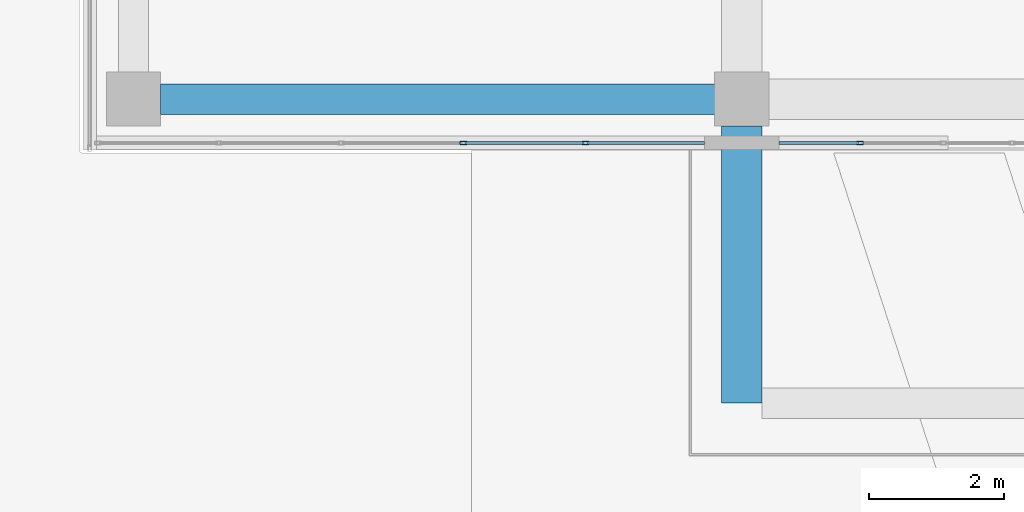
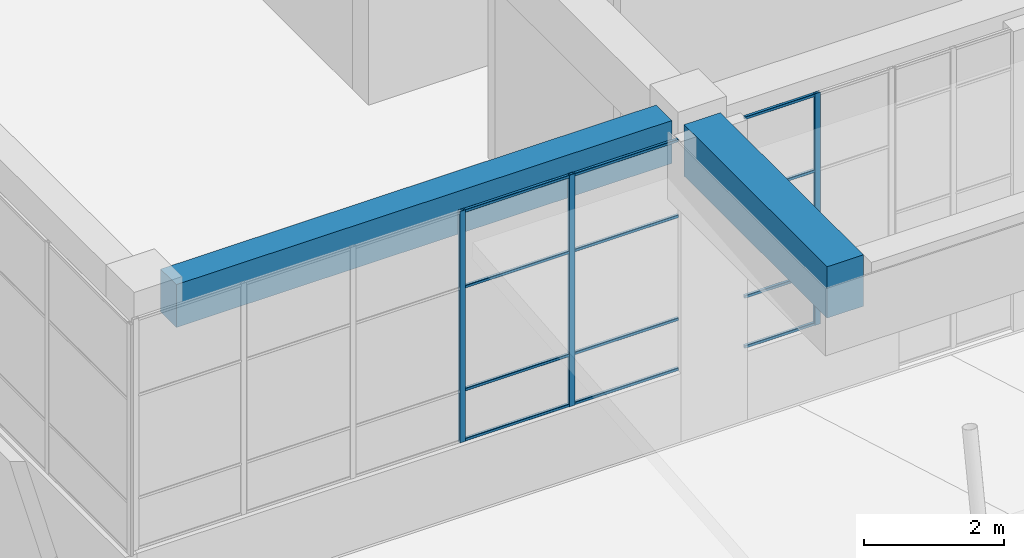
# One storey, part 17 of 72: 15 members, 2 beams, 2 elements without a shape of their own.
"""IFC4 building model written with IfcOpenShell, lengths in metres."""

from ifc_helpers import new_model, si_unit, direction, frame, origin, origin_2d, place, context, subcontext, project, spatial, rectangle, hollow_rectangle, extrude, material, layer, layer_set, material_profile, profile_set, type_object, element, aggregate, save


model = new_model("IFC4")

# Units and contexts
model_context = context("Model", 3, precision=1e-05, world=origin(), true_north=direction((0.0, 1.0)))
body_context = subcontext(model_context, "Body", "Model", "MODEL_VIEW")
ifc_project = project(units=[si_unit("LENGTHUNIT", "METRE"), si_unit("AREAUNIT", "SQUARE_METRE"), si_unit("VOLUMEUNIT", "CUBIC_METRE"), si_unit("PLANEANGLEUNIT", "RADIAN"), si_unit("MASSUNIT", "GRAM", prefix="KILO")], contexts=[model_context])

# Site, building, storey
site_placement = place(None, origin())
site = spatial("IfcSite", under=ifc_project, at=site_placement, CompositionType="ELEMENT")
building_placement = place(site_placement, origin())
building = spatial("IfcBuilding", under=site, at=building_placement, Name="Tuart Plaza Theatre", CompositionType="ELEMENT")
storey_placement = place(building_placement, origin())
storey = spatial("IfcBuildingStorey", under=building, at=storey_placement, Name="L00", CompositionType="ELEMENT", Elevation=0.0)

# Beams
ifc_material_1 = material(Name="Concrete N40 (40 MPa)", Category="concrete")
ifc_material_profile_1 = material_profile(ifc_material_1, rectangle(XDim=0.449951171875, YDim=0.75, at=origin_2d()), Name="BEAM 450x750 Concrete N40 (40 MPa)")
ifc_profile_set_1 = profile_set([ifc_material_profile_1], Name="Concrete N40 (40 MPa)")
beam_type_1 = type_object("IfcBeamType", Name="BEAM 450x750 Concrete N40 (40 MPa)", PredefinedType="BEAM", material=ifc_profile_set_1)
beam_1_placement = place(storey_placement, frame((114.39990234375, 56.0, 4.875), z_axis=(1.0, 0.0, 0.0), x_axis=(0.0, 1.0, 0.0)))
element("IfcBeam", 1, at=beam_1_placement, inside=storey, type_object=beam_type_1, Name="RB123", PredefinedType="BEAM", context=body_context, shape_type="SweptSolid", body=[
    extrude(rectangle(XDim=0.449951171875, YDim=0.75, at=origin_2d()), origin(), (0.0, 0.0, 1.0), 8.2001953125),
])
ifc_material_2 = material(Name="Concrete N40 (40 MPa)", Category="concrete")
ifc_material_profile_2 = material_profile(ifc_material_2, rectangle(XDim=0.60009765625, YDim=0.89990234375, at=origin_2d()), Name="BEAM 600x900 Concrete N40 (40 MPa)")
ifc_profile_set_2 = profile_set([ifc_material_profile_2], Name="Concrete N40 (40 MPa)")
beam_type_2 = type_object("IfcBeamType", Name="BEAM 600x900 Concrete N40 (40 MPa)", PredefinedType="BEAM", material=ifc_profile_set_2)
beam_2_placement = place(storey_placement, frame((123.0, 51.5, 4.800048828125), z_axis=(0.0, 1.0, 0.0), x_axis=(-1.0, 0.0, 0.0)))
element("IfcBeam", 2, at=beam_2_placement, inside=storey, type_object=beam_type_2, Name="RB133", PredefinedType="BEAM", context=body_context, shape_type="SweptSolid", body=[
    extrude(rectangle(XDim=0.60009765625, YDim=0.89990234375, at=origin_2d()), origin(), (0.0, 0.0, 1.0), 4.10009765625),
])

# Curtain wall, members
ifc_material_3 = material(Name="Aluminium and glass", Category="aluminium")
ifc_layer_1 = layer(ifc_material_3, 0.10009765625)
ifc_layer_set_1 = layer_set([ifc_layer_1], Name="CURTAIN WALL 1800 module")
curtain_wall_type_1 = type_object("IfcCurtainWallType", Name="CURTAIN WALL 1800 module", PredefinedType="NOTDEFINED", material=ifc_layer_set_1)
curtain_wall_1_placement = place(storey_placement, origin())
curtain_wall_1 = element("IfcCurtainWall", 3, at=curtain_wall_1_placement, inside=storey, type_object=curtain_wall_type_1, Name="CW60", PredefinedType="NOTDEFINED")
ifc_material_4 = material(Name="Aluminium 6063-T5", Category="aluminium")
ifc_material_profile_3 = material_profile(ifc_material_4, hollow_rectangle(XDim=0.050048828125, YDim=0.10009765625, WallThickness=0.00390625, InnerFilletRadius=0.00390625, OuterFilletRadius=0.008056640625, at=origin_2d()), Name="RHS 100x50x4")
ifc_profile_set_3 = profile_set([ifc_material_profile_3], Name="Aluminium 6063-T5")
member_type_1 = type_object("IfcMemberType", Name="MULLION RHS 100x50x4", PredefinedType="MULLION", material=ifc_profile_set_3)
member_1_placement = place(storey_placement, frame((118.8798828125, 55.35009765625, 1.199951171875), z_axis=(0.0, 0.0, 1.0), x_axis=(0.0, 1.0, 0.0)))
member_1 = element("IfcMember", 4, at=member_1_placement, type_object=member_type_1, Name="CW60 mullion 4", PredefinedType="MULLION", context=body_context, shape_type="SweptSolid", body=[
    extrude(hollow_rectangle(XDim=0.050048828125, YDim=0.10009765625, WallThickness=0.00390625, InnerFilletRadius=0.00390625, OuterFilletRadius=0.008056640625, at=origin_2d()), origin(), (0.0, 0.0, 1.0), 4.050048828125),
])
member_2_placement = place(storey_placement, frame((120.68994140625, 55.35009765625, 1.199951171875), z_axis=(0.0, 0.0, 1.0), x_axis=(0.0, 1.0, 0.0)))
member_2 = element("IfcMember", 5, at=member_2_placement, type_object=member_type_1, Name="CW60 mullion 5", PredefinedType="MULLION", context=body_context, shape_type="SweptSolid", body=[
    extrude(hollow_rectangle(XDim=0.050048828125, YDim=0.10009765625, WallThickness=0.00390625, InnerFilletRadius=0.00390625, OuterFilletRadius=0.008056640625, at=origin_2d()), origin(), (0.0, 0.0, 1.0), 4.050048828125),
])

# Curtain wall, member
ifc_material_5 = material(Name="Aluminium and glass", Category="aluminium")
ifc_layer_2 = layer(ifc_material_5, 0.10009765625)
ifc_layer_set_2 = layer_set([ifc_layer_2], Name="CURTAIN WALL 1250 module")
curtain_wall_type_2 = type_object("IfcCurtainWallType", Name="CURTAIN WALL 1250 module", PredefinedType="NOTDEFINED", material=ifc_layer_set_2)
curtain_wall_2_placement = place(storey_placement, origin())
curtain_wall_2 = element("IfcCurtainWall", 6, at=curtain_wall_2_placement, inside=storey, type_object=curtain_wall_type_2, Name="CW61", PredefinedType="NOTDEFINED")
member_3_placement = place(storey_placement, frame((124.75, 55.35009765625, 1.199951171875), z_axis=(0.0, 0.0, 1.0), x_axis=(0.0, 1.0, 0.0)))
member_3 = element("IfcMember", 7, at=member_3_placement, type_object=member_type_1, Name="CW61 mullion 2", PredefinedType="MULLION", context=body_context, shape_type="SweptSolid", body=[
    extrude(hollow_rectangle(XDim=0.050048828125, YDim=0.10009765625, WallThickness=0.00390625, InnerFilletRadius=0.00390625, OuterFilletRadius=0.008056640625, at=origin_2d()), origin(), (0.0, 0.0, 1.0), 4.050048828125),
])

# Member
ifc_material_6 = material(Name="Aluminium 6063-T5", Category="aluminium")
ifc_material_profile_4 = material_profile(ifc_material_6, hollow_rectangle(XDim=0.050048828125, YDim=0.050048828125, WallThickness=0.00390625, InnerFilletRadius=0.00390625, OuterFilletRadius=0.008056640625, at=origin_2d()), Name="RHS 50x50x4")
ifc_profile_set_4 = profile_set([ifc_material_profile_4], Name="Aluminium 6063-T5")
member_type_2 = type_object("IfcMemberType", Name="TRANSOM RHS 50x50x4", PredefinedType="USERDEFINED", material=ifc_profile_set_4)
member_4_placement = place(storey_placement, frame((118.905029296875, 55.35009765625, 1.22509765625), z_axis=(1.0, 0.0, 0.0), x_axis=(0.0, 1.0, 0.0)))
member_4 = element("IfcMember", 8, at=member_4_placement, type_object=member_type_2, Name="CW60 transom 4.1", ObjectType="TRANSOM", PredefinedType="USERDEFINED", context=body_context, shape_type="SweptSolid", body=[
    extrude(hollow_rectangle(XDim=0.050048828125, YDim=0.050048828125, WallThickness=0.00390625, InnerFilletRadius=0.00390625, OuterFilletRadius=0.008056640625, at=origin_2d()), origin(), (0.0, 0.0, 1.0), 1.760009765625),
])

member_5_placement = place(storey_placement, frame((118.905029296875, 55.35009765625, 2.10009765625), z_axis=(1.0, 0.0, 0.0), x_axis=(0.0, 1.0, 0.0)))
member_5 = element("IfcMember", 9, at=member_5_placement, type_object=member_type_2, Name="CW60 transom 4.2", ObjectType="TRANSOM", PredefinedType="USERDEFINED", context=body_context, shape_type="SweptSolid", body=[
    extrude(hollow_rectangle(XDim=0.050048828125, YDim=0.050048828125, WallThickness=0.00390625, InnerFilletRadius=0.00390625, OuterFilletRadius=0.008056640625, at=origin_2d()), origin(), (0.0, 0.0, 1.0), 1.760009765625),
])

member_6_placement = place(storey_placement, frame((118.905029296875, 55.35009765625, 3.89990234375), z_axis=(1.0, 0.0, 0.0), x_axis=(0.0, 1.0, 0.0)))
member_6 = element("IfcMember", 10, at=member_6_placement, type_object=member_type_2, Name="CW60 transom 4.3", ObjectType="TRANSOM", PredefinedType="USERDEFINED", context=body_context, shape_type="SweptSolid", body=[
    extrude(hollow_rectangle(XDim=0.050048828125, YDim=0.050048828125, WallThickness=0.00390625, InnerFilletRadius=0.00390625, OuterFilletRadius=0.008056640625, at=origin_2d()), origin(), (0.0, 0.0, 1.0), 1.760009765625),
])

member_7_placement = place(storey_placement, frame((118.905029296875, 55.35009765625, 5.22509765625), z_axis=(1.0, 0.0, 0.0), x_axis=(0.0, 1.0, 0.0)))
member_7 = element("IfcMember", 11, at=member_7_placement, type_object=member_type_2, Name="CW60 transom 4.4", ObjectType="TRANSOM", PredefinedType="USERDEFINED", context=body_context, shape_type="SweptSolid", body=[
    extrude(hollow_rectangle(XDim=0.050048828125, YDim=0.050048828125, WallThickness=0.00390625, InnerFilletRadius=0.00390625, OuterFilletRadius=0.008056640625, at=origin_2d()), origin(), (0.0, 0.0, 1.0), 1.760009765625),
])

member_8_placement = place(storey_placement, frame((120.715087890625, 55.35009765625, 1.22509765625), z_axis=(1.0, 0.0, 0.0), x_axis=(0.0, 1.0, 0.0)))
member_8 = element("IfcMember", 12, at=member_8_placement, type_object=member_type_2, Name="CW60 transom 5.1", ObjectType="TRANSOM", PredefinedType="USERDEFINED", context=body_context, shape_type="SweptSolid", body=[
    extrude(hollow_rectangle(XDim=0.050048828125, YDim=0.050048828125, WallThickness=0.00390625, InnerFilletRadius=0.00390625, OuterFilletRadius=0.008056640625, at=origin_2d()), origin(), (0.0, 0.0, 1.0), 1.73486328125),
])

member_9_placement = place(storey_placement, frame((120.715087890625, 55.35009765625, 2.10009765625), z_axis=(1.0, 0.0, 0.0), x_axis=(0.0, 1.0, 0.0)))
member_9 = element("IfcMember", 13, at=member_9_placement, type_object=member_type_2, Name="CW60 transom 5.2", ObjectType="TRANSOM", PredefinedType="USERDEFINED", context=body_context, shape_type="SweptSolid", body=[
    extrude(hollow_rectangle(XDim=0.050048828125, YDim=0.050048828125, WallThickness=0.00390625, InnerFilletRadius=0.00390625, OuterFilletRadius=0.008056640625, at=origin_2d()), origin(), (0.0, 0.0, 1.0), 1.73486328125),
])

member_10_placement = place(storey_placement, frame((120.715087890625, 55.35009765625, 3.89990234375), z_axis=(1.0, 0.0, 0.0), x_axis=(0.0, 1.0, 0.0)))
member_10 = element("IfcMember", 14, at=member_10_placement, type_object=member_type_2, Name="CW60 transom 5.3", ObjectType="TRANSOM", PredefinedType="USERDEFINED", context=body_context, shape_type="SweptSolid", body=[
    extrude(hollow_rectangle(XDim=0.050048828125, YDim=0.050048828125, WallThickness=0.00390625, InnerFilletRadius=0.00390625, OuterFilletRadius=0.008056640625, at=origin_2d()), origin(), (0.0, 0.0, 1.0), 1.73486328125),
])

member_11_placement = place(storey_placement, frame((120.715087890625, 55.35009765625, 5.22509765625), z_axis=(1.0, 0.0, 0.0), x_axis=(0.0, 1.0, 0.0)))
member_11 = element("IfcMember", 15, at=member_11_placement, type_object=member_type_2, Name="CW60 transom 5.4", ObjectType="TRANSOM", PredefinedType="USERDEFINED", context=body_context, shape_type="SweptSolid", body=[
    extrude(hollow_rectangle(XDim=0.050048828125, YDim=0.050048828125, WallThickness=0.00390625, InnerFilletRadius=0.00390625, OuterFilletRadius=0.008056640625, at=origin_2d()), origin(), (0.0, 0.0, 1.0), 1.73486328125),
])

aggregate(curtain_wall_1, [member_1, member_2, member_4, member_5, member_6, member_7, member_8, member_9, member_10, member_11])

member_12_placement = place(storey_placement, frame((123.550048828125, 55.35009765625, 1.22509765625), z_axis=(1.0, 0.0, 0.0), x_axis=(0.0, 1.0, 0.0)))
member_12 = element("IfcMember", 16, at=member_12_placement, type_object=member_type_2, Name="CW61 transom 1.1", ObjectType="TRANSOM", PredefinedType="USERDEFINED", context=body_context, shape_type="SweptSolid", body=[
    extrude(hollow_rectangle(XDim=0.050048828125, YDim=0.050048828125, WallThickness=0.00390625, InnerFilletRadius=0.00390625, OuterFilletRadius=0.008056640625, at=origin_2d()), origin(), (0.0, 0.0, 1.0), 1.175048828125),
])

member_13_placement = place(storey_placement, frame((123.550048828125, 55.35009765625, 2.10009765625), z_axis=(1.0, 0.0, 0.0), x_axis=(0.0, 1.0, 0.0)))
member_13 = element("IfcMember", 17, at=member_13_placement, type_object=member_type_2, Name="CW61 transom 1.2", ObjectType="TRANSOM", PredefinedType="USERDEFINED", context=body_context, shape_type="SweptSolid", body=[
    extrude(hollow_rectangle(XDim=0.050048828125, YDim=0.050048828125, WallThickness=0.00390625, InnerFilletRadius=0.00390625, OuterFilletRadius=0.008056640625, at=origin_2d()), origin(), (0.0, 0.0, 1.0), 1.175048828125),
])

member_14_placement = place(storey_placement, frame((123.550048828125, 55.35009765625, 3.89990234375), z_axis=(1.0, 0.0, 0.0), x_axis=(0.0, 1.0, 0.0)))
member_14 = element("IfcMember", 18, at=member_14_placement, type_object=member_type_2, Name="CW61 transom 1.3", ObjectType="TRANSOM", PredefinedType="USERDEFINED", context=body_context, shape_type="SweptSolid", body=[
    extrude(hollow_rectangle(XDim=0.050048828125, YDim=0.050048828125, WallThickness=0.00390625, InnerFilletRadius=0.00390625, OuterFilletRadius=0.008056640625, at=origin_2d()), origin(), (0.0, 0.0, 1.0), 1.175048828125),
])

member_15_placement = place(storey_placement, frame((123.550048828125, 55.35009765625, 5.22509765625), z_axis=(1.0, 0.0, 0.0), x_axis=(0.0, 1.0, 0.0)))
member_15 = element("IfcMember", 19, at=member_15_placement, type_object=member_type_2, Name="CW61 transom 1.4", ObjectType="TRANSOM", PredefinedType="USERDEFINED", context=body_context, shape_type="SweptSolid", body=[
    extrude(hollow_rectangle(XDim=0.050048828125, YDim=0.050048828125, WallThickness=0.00390625, InnerFilletRadius=0.00390625, OuterFilletRadius=0.008056640625, at=origin_2d()), origin(), (0.0, 0.0, 1.0), 1.175048828125),
])

aggregate(curtain_wall_2, [member_3, member_12, member_13, member_14, member_15])

save(model, "model.ifc")
